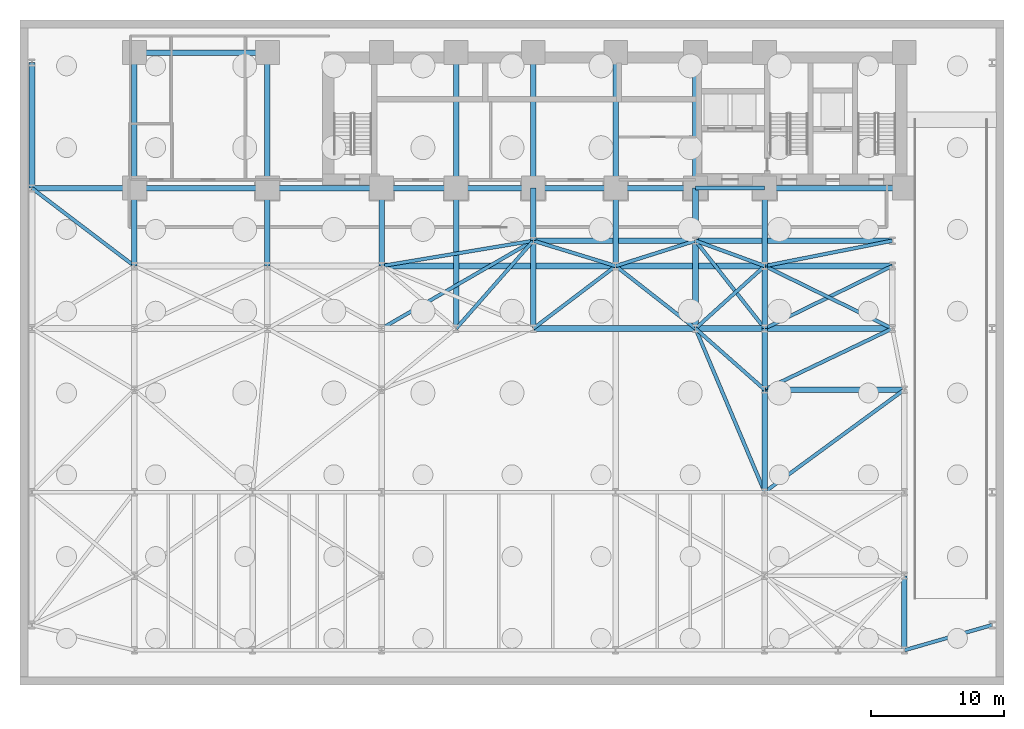
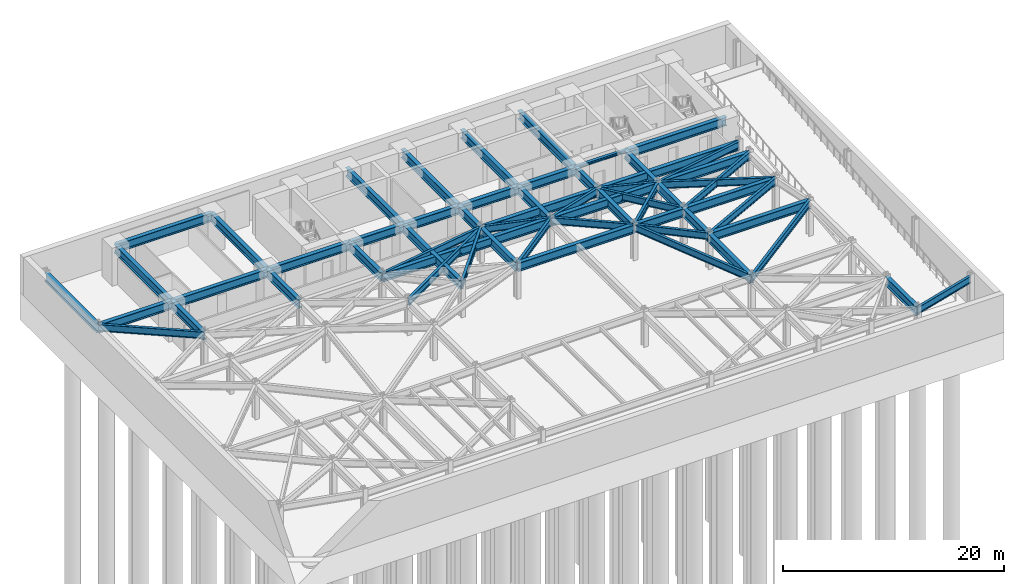
# One storey, part 3 of 12: 59 beams.
"""IFC4 building model written with IfcOpenShell, lengths in metres."""

from ifc_helpers import new_model, si_unit, direction, frame, origin, origin_2d, place, context, subcontext, project, spatial, i_section, extrude, material, material_profile, profile_set, type_object, element, save


model = new_model("IFC4")

# Units and contexts
model_context = context("Model", 3, precision=1e-05, world=origin(), true_north=direction((0.0, 1.0)))
body_context = subcontext(model_context, "Body", "Model", "MODEL_VIEW")
ifc_project = project(units=[si_unit("LENGTHUNIT", "METRE"), si_unit("AREAUNIT", "SQUARE_METRE"), si_unit("VOLUMEUNIT", "CUBIC_METRE"), si_unit("PLANEANGLEUNIT", "RADIAN"), si_unit("MASSUNIT", "GRAM", prefix="KILO")], contexts=[model_context])

# Site, building, storey
site_placement = place(None, origin())
site = spatial("IfcSite", under=ifc_project, at=site_placement, CompositionType="ELEMENT")
building_placement = place(site_placement, origin())
building = spatial("IfcBuilding", under=site, at=building_placement, Name="Kravanh Interchange Tower", CompositionType="ELEMENT")
storey_placement = place(building_placement, frame((0.0, 0.0, -8.39990234375)))
storey = spatial("IfcBuildingStorey", under=building, at=storey_placement, Name="B2", CompositionType="ELEMENT", Elevation=-8.39990234375)

# Beams
ifc_material_1 = material(Name="Structural Steel S450", Category="steel")
ifc_material_profile_1 = material_profile(ifc_material_1, i_section(OverallWidth=0.423095703125, OverallDepth=0.947998046875, WebThickness=0.02392578125, FlangeThickness=0.042724609375, FilletRadius=0.028076171875, at=origin_2d()), Name="W36X302")
ifc_profile_set_1 = profile_set([ifc_material_profile_1], Name="Structural Steel S450")
beam_type_1 = type_object("IfcBeamType", Name="Floor Beam W36X302 Structural Steel S450", PredefinedType="BEAM", material=ifc_profile_set_1)
beam_1_placement = place(storey_placement, frame((66.5, 2.60009765625, 3.42578125), z_axis=(0.0, 1.0, 0.0), x_axis=(-1.0, 0.0, 0.0)))
element("IfcBeam", 1, at=beam_1_placement, inside=storey, type_object=beam_type_1, Name="B2 Primary Floor Girder 20", PredefinedType="BEAM", context=body_context, shape_type="SweptSolid", body=[
    extrude(i_section(OverallWidth=0.423095703125, OverallDepth=0.947998046875, WebThickness=0.02392578125, FlangeThickness=0.042724609375, FilletRadius=0.028076171875, at=origin_2d()), origin(), (0.0, 0.0, 1.0), 5.599853515625),
])
beam_2_placement = place(storey_placement, frame((56.0, 14.5, 3.42578125), z_axis=(0.0, 1.0, 0.0), x_axis=(-1.0, 0.0, 0.0)))
element("IfcBeam", 2, at=beam_2_placement, inside=storey, type_object=beam_type_1, Name="B2 Primary Floor Girder 49", PredefinedType="BEAM", context=body_context, shape_type="SweptSolid", body=[
    extrude(i_section(OverallWidth=0.423095703125, OverallDepth=0.947998046875, WebThickness=0.02392578125, FlangeThickness=0.042724609375, FilletRadius=0.028076171875, at=origin_2d()), origin(), (0.0, 0.0, 1.0), 7.699951171875),
])
beam_3_placement = place(storey_placement, frame((56.0, 22.199951171875, 3.42578125), z_axis=(0.0, 1.0, 0.0), x_axis=(-1.0, 0.0, 0.0)))
element("IfcBeam", 3, at=beam_3_placement, inside=storey, type_object=beam_type_1, Name="B2 Primary Floor Girder 65", PredefinedType="BEAM", context=body_context, shape_type="SweptSolid", body=[
    extrude(i_section(OverallWidth=0.423095703125, OverallDepth=0.947998046875, WebThickness=0.02392578125, FlangeThickness=0.042724609375, FilletRadius=0.028076171875, at=origin_2d()), origin(), (0.0, 0.0, 1.0), 4.60009765625),
])
beam_4_placement = place(storey_placement, frame((56.0, 22.199951171875, 3.42578125), z_axis=(1.0, 0.0, 0.0), x_axis=(0.0, 1.0, 0.0)))
element("IfcBeam", 4, at=beam_4_placement, inside=storey, type_object=beam_type_1, Name="B2 Primary Floor Girder 67", PredefinedType="BEAM", context=body_context, shape_type="SweptSolid", body=[
    extrude(i_section(OverallWidth=0.423095703125, OverallDepth=0.947998046875, WebThickness=0.02392578125, FlangeThickness=0.042724609375, FilletRadius=0.028076171875, at=origin_2d()), origin(), (0.0, 0.0, 1.0), 10.5),
])
beam_5_placement = place(storey_placement, frame((32.800048828125, 26.800048828125, 3.42578125), z_axis=(0.0, 1.0, 0.0), x_axis=(-1.0, 0.0, 0.0)))
element("IfcBeam", 5, at=beam_5_placement, inside=storey, type_object=beam_type_1, Name="B2 Primary Floor Girder 88", PredefinedType="BEAM", context=body_context, shape_type="SweptSolid", body=[
    extrude(i_section(OverallWidth=0.423095703125, OverallDepth=0.947998046875, WebThickness=0.02392578125, FlangeThickness=0.042724609375, FilletRadius=0.028076171875, at=origin_2d()), origin(), (0.0, 0.0, 1.0), 10.550048828125),
])
beam_6_placement = place(storey_placement, frame((38.60009765625, 26.800048828125, 3.42578125), z_axis=(0.0, 1.0, 0.0), x_axis=(-1.0, 0.0, 0.0)))
element("IfcBeam", 6, at=beam_6_placement, inside=storey, type_object=beam_type_1, Name="B2 Primary Floor Girder 89", PredefinedType="BEAM", context=body_context, shape_type="SweptSolid", body=[
    extrude(i_section(OverallWidth=0.423095703125, OverallDepth=0.947998046875, WebThickness=0.02392578125, FlangeThickness=0.042724609375, FilletRadius=0.028076171875, at=origin_2d()), origin(), (0.0, 0.0, 1.0), 6.599853515625),
])
beam_7_placement = place(storey_placement, frame((38.60009765625, 26.800048828125, 3.42578125), z_axis=(1.0, 0.0, 0.0), x_axis=(0.0, 1.0, 0.0)))
element("IfcBeam", 7, at=beam_7_placement, inside=storey, type_object=beam_type_1, Name="B2 Primary Floor Girder 91", PredefinedType="BEAM", context=body_context, shape_type="SweptSolid", body=[
    extrude(i_section(OverallWidth=0.423095703125, OverallDepth=0.947998046875, WebThickness=0.02392578125, FlangeThickness=0.042724609375, FilletRadius=0.028076171875, at=origin_2d()), origin(), (0.0, 0.0, 1.0), 12.199951171875),
])
beam_8_placement = place(storey_placement, frame((50.800048828125, 26.800048828125, 3.42578125), z_axis=(1.0, 0.0, 0.0), x_axis=(0.0, 1.0, 0.0)))
element("IfcBeam", 8, at=beam_8_placement, inside=storey, type_object=beam_type_1, Name="B2 Primary Floor Girder 93", PredefinedType="BEAM", context=body_context, shape_type="SweptSolid", body=[
    extrude(i_section(OverallWidth=0.423095703125, OverallDepth=0.947998046875, WebThickness=0.02392578125, FlangeThickness=0.042724609375, FilletRadius=0.028076171875, at=origin_2d()), origin(), (0.0, 0.0, 1.0), 5.199951171875),
])
beam_9_placement = place(storey_placement, frame((50.800048828125, 26.800048828125, 3.42578125), z_axis=(0.0, 1.0, 0.0), x_axis=(-1.0, 0.0, 0.0)))
element("IfcBeam", 9, at=beam_9_placement, inside=storey, type_object=beam_type_1, Name="B2 Primary Floor Girder 94", PredefinedType="BEAM", context=body_context, shape_type="SweptSolid", body=[
    extrude(i_section(OverallWidth=0.423095703125, OverallDepth=0.947998046875, WebThickness=0.02392578125, FlangeThickness=0.042724609375, FilletRadius=0.028076171875, at=origin_2d()), origin(), (0.0, 0.0, 1.0), 6.599853515625),
])
beam_10_placement = place(storey_placement, frame((56.0, 26.800048828125, 3.42578125), z_axis=(0.0, 1.0, 0.0), x_axis=(-1.0, 0.0, 0.0)))
element("IfcBeam", 10, at=beam_10_placement, inside=storey, type_object=beam_type_1, Name="B2 Primary Floor Girder 97", PredefinedType="BEAM", context=body_context, shape_type="SweptSolid", body=[
    extrude(i_section(OverallWidth=0.423095703125, OverallDepth=0.947998046875, WebThickness=0.02392578125, FlangeThickness=0.042724609375, FilletRadius=0.028076171875, at=origin_2d()), origin(), (0.0, 0.0, 1.0), 4.699951171875),
])
beam_11_placement = place(storey_placement, frame((56.0, 26.800048828125, 3.42578125), z_axis=(1.0, 0.0, 0.0), x_axis=(0.0, 1.0, 0.0)))
element("IfcBeam", 11, at=beam_11_placement, inside=storey, type_object=beam_type_1, Name="B2 Primary Floor Girder 99", PredefinedType="BEAM", context=body_context, shape_type="SweptSolid", body=[
    extrude(i_section(OverallWidth=0.423095703125, OverallDepth=0.947998046875, WebThickness=0.02392578125, FlangeThickness=0.042724609375, FilletRadius=0.028076171875, at=origin_2d()), origin(), (0.0, 0.0, 1.0), 9.60009765625),
])
for number, where, z_axis, x_axis, name in (
    (12, (8.60009765625, 31.5, 3.42578125), (0.0, 1.0, 0.0), (-1.0, 0.0, 0.0), "B2 Primary Floor Girder 104"),
    (13, (18.60009765625, 31.5, 3.42578125), (0.0, 1.0, 0.0), (-1.0, 0.0, 0.0), "B2 Primary Floor Girder 108"),
    (14, (27.199951171875, 31.5, 3.42578125), (0.0, 1.0, 0.0), (-1.0, 0.0, 0.0), "B2 Primary Floor Girder 110"),
):
    element("IfcBeam", number, at=place(storey_placement, frame(where, z_axis=z_axis, x_axis=x_axis)), inside=storey, type_object=beam_type_1, Name=name, PredefinedType="BEAM", context=body_context, shape_type="SweptSolid", body=[
        extrude(i_section(OverallWidth=0.423095703125, OverallDepth=0.947998046875, WebThickness=0.02392578125, FlangeThickness=0.042724609375, FilletRadius=0.028076171875, at=origin_2d()), origin(), (0.0, 0.0, 1.0), 5.85009765625),
    ])
beam_12_placement = place(storey_placement, frame((27.199951171875, 31.5, 3.42578125), z_axis=(1.0, 0.0, 0.0), x_axis=(0.0, 1.0, 0.0)))
element("IfcBeam", 15, at=beam_12_placement, inside=storey, type_object=beam_type_1, Name="B2 Primary Floor Girder 112", PredefinedType="BEAM", context=body_context, shape_type="SweptSolid", body=[
    extrude(i_section(OverallWidth=0.423095703125, OverallDepth=0.947998046875, WebThickness=0.02392578125, FlangeThickness=0.042724609375, FilletRadius=0.028076171875, at=origin_2d()), origin(), (0.0, 0.0, 1.0), 17.60009765625),
])
beam_13_placement = place(storey_placement, frame((44.800048828125, 31.5, 3.42578125), z_axis=(0.0, 1.0, 0.0), x_axis=(-1.0, 0.0, 0.0)))
element("IfcBeam", 16, at=beam_13_placement, inside=storey, type_object=beam_type_1, Name="B2 Primary Floor Girder 113", PredefinedType="BEAM", context=body_context, shape_type="SweptSolid", body=[
    extrude(i_section(OverallWidth=0.423095703125, OverallDepth=0.947998046875, WebThickness=0.02392578125, FlangeThickness=0.042724609375, FilletRadius=0.028076171875, at=origin_2d()), origin(), (0.0, 0.0, 1.0), 5.85009765625),
])
beam_14_placement = place(storey_placement, frame((44.800048828125, 31.5, 3.42578125), z_axis=(1.0, 0.0, 0.0), x_axis=(0.0, 1.0, 0.0)))
element("IfcBeam", 17, at=beam_14_placement, inside=storey, type_object=beam_type_1, Name="B2 Primary Floor Girder 116", PredefinedType="BEAM", context=body_context, shape_type="SweptSolid", body=[
    extrude(i_section(OverallWidth=0.423095703125, OverallDepth=0.947998046875, WebThickness=0.02392578125, FlangeThickness=0.042724609375, FilletRadius=0.028076171875, at=origin_2d()), origin(), (0.0, 0.0, 1.0), 11.199951171875),
])
beam_15_placement = place(storey_placement, frame((56.0, 31.5, 3.42578125), z_axis=(0.0, 1.0, 0.0), x_axis=(-1.0, 0.0, 0.0)))
element("IfcBeam", 18, at=beam_15_placement, inside=storey, type_object=beam_type_1, Name="B2 Primary Floor Girder 118", PredefinedType="BEAM", context=body_context, shape_type="SweptSolid", body=[
    extrude(i_section(OverallWidth=0.423095703125, OverallDepth=0.947998046875, WebThickness=0.02392578125, FlangeThickness=0.042724609375, FilletRadius=0.028076171875, at=origin_2d()), origin(), (0.0, 0.0, 1.0), 5.85009765625),
])
beam_16_placement = place(storey_placement, frame((56.0, 31.5, 3.42578125), z_axis=(1.0, 0.0, 0.0), x_axis=(0.0, 1.0, 0.0)))
element("IfcBeam", 19, at=beam_16_placement, inside=storey, type_object=beam_type_1, Name="B2 Primary Floor Girder 119", PredefinedType="BEAM", context=body_context, shape_type="SweptSolid", body=[
    extrude(i_section(OverallWidth=0.423095703125, OverallDepth=0.947998046875, WebThickness=0.02392578125, FlangeThickness=0.042724609375, FilletRadius=0.028076171875, at=origin_2d()), origin(), (0.0, 0.0, 1.0), 9.60009765625),
])
beam_17_placement = place(storey_placement, frame((0.89990234375, 37.35009765625, 3.42578125), z_axis=(1.0, 0.0, 0.0), x_axis=(0.0, 1.0, 0.0)))
element("IfcBeam", 20, at=beam_17_placement, inside=storey, type_object=beam_type_1, Name="B2 Primary Floor Girder 125", PredefinedType="BEAM", context=body_context, shape_type="SweptSolid", body=[
    extrude(i_section(OverallWidth=0.423095703125, OverallDepth=0.947998046875, WebThickness=0.02392578125, FlangeThickness=0.042724609375, FilletRadius=0.028076171875, at=origin_2d()), origin(), (0.0, 0.0, 1.0), 7.7001953125),
])
beam_18_placement = place(storey_placement, frame((0.89990234375, 37.35009765625, 3.42578125), z_axis=(0.0, 1.0, 0.0), x_axis=(-1.0, 0.0, 0.0)))
element("IfcBeam", 21, at=beam_18_placement, inside=storey, type_object=beam_type_1, Name="B2 Primary Floor Girder 126", PredefinedType="BEAM", context=body_context, shape_type="SweptSolid", body=[
    extrude(i_section(OverallWidth=0.423095703125, OverallDepth=0.947998046875, WebThickness=0.02392578125, FlangeThickness=0.042724609375, FilletRadius=0.028076171875, at=origin_2d()), origin(), (0.0, 0.0, 1.0), 9.449951171875),
])
beam_19_placement = place(storey_placement, frame((38.60009765625, 33.39990234375, 3.42578125), z_axis=(0.0, 1.0, 0.0), x_axis=(-1.0, 0.0, 0.0)))
element("IfcBeam", 22, at=beam_19_placement, inside=storey, type_object=beam_type_1, Name="B2 Primary Floor Girder 130", PredefinedType="BEAM", context=body_context, shape_type="SweptSolid", body=[
    extrude(i_section(OverallWidth=0.423095703125, OverallDepth=0.947998046875, WebThickness=0.02392578125, FlangeThickness=0.042724609375, FilletRadius=0.028076171875, at=origin_2d()), origin(), (0.0, 0.0, 1.0), 3.9501953125),
])
beam_20_placement = place(storey_placement, frame((38.60009765625, 33.39990234375, 3.42578125), z_axis=(1.0, 0.0, 0.0), x_axis=(0.0, 1.0, 0.0)))
element("IfcBeam", 23, at=beam_20_placement, inside=storey, type_object=beam_type_1, Name="B2 Primary Floor Girder 131", PredefinedType="BEAM", context=body_context, shape_type="SweptSolid", body=[
    extrude(i_section(OverallWidth=0.423095703125, OverallDepth=0.947998046875, WebThickness=0.02392578125, FlangeThickness=0.042724609375, FilletRadius=0.028076171875, at=origin_2d()), origin(), (0.0, 0.0, 1.0), 12.199951171875),
])
beam_21_placement = place(storey_placement, frame((50.800048828125, 33.39990234375, 3.42578125), z_axis=(0.0, 1.0, 0.0), x_axis=(-1.0, 0.0, 0.0)))
element("IfcBeam", 24, at=beam_21_placement, inside=storey, type_object=beam_type_1, Name="B2 Primary Floor Girder 132", PredefinedType="BEAM", context=body_context, shape_type="SweptSolid", body=[
    extrude(i_section(OverallWidth=0.423095703125, OverallDepth=0.947998046875, WebThickness=0.02392578125, FlangeThickness=0.042724609375, FilletRadius=0.028076171875, at=origin_2d()), origin(), (0.0, 0.0, 1.0), 3.9501953125),
])
beam_22_placement = place(storey_placement, frame((50.800048828125, 33.39990234375, 3.42578125), z_axis=(1.0, 0.0, 0.0), x_axis=(0.0, 1.0, 0.0)))
element("IfcBeam", 25, at=beam_22_placement, inside=storey, type_object=beam_type_1, Name="B2 Primary Floor Girder 133", PredefinedType="BEAM", context=body_context, shape_type="SweptSolid", body=[
    extrude(i_section(OverallWidth=0.423095703125, OverallDepth=0.947998046875, WebThickness=0.02392578125, FlangeThickness=0.042724609375, FilletRadius=0.028076171875, at=origin_2d()), origin(), (0.0, 0.0, 1.0), 14.800048828125),
])
beam_23_placement = place(storey_placement, frame((66.5, 37.35009765625, 3.42578125), z_axis=(-1.0, 0.0, 0.0), x_axis=(0.0, -1.0, 0.0)))
element("IfcBeam", 26, at=beam_23_placement, inside=storey, type_object=beam_type_1, Name="B2 Primary Floor Girder 138", PredefinedType="BEAM", context=body_context, shape_type="SweptSolid", body=[
    extrude(i_section(OverallWidth=0.423095703125, OverallDepth=0.947998046875, WebThickness=0.02392578125, FlangeThickness=0.042724609375, FilletRadius=0.028076171875, at=origin_2d()), origin(), (0.0, 0.0, 1.0), 10.5),
])
beam_24_placement = place(storey_placement, frame((50.800048828125, 47.550048828125, 3.42578125), z_axis=(0.0, -1.0, 0.0), x_axis=(1.0, 0.0, 0.0)))
element("IfcBeam", 27, at=beam_24_placement, inside=storey, type_object=beam_type_1, Name="B2 Primary Floor Girder 141", PredefinedType="BEAM", context=body_context, shape_type="SweptSolid", body=[
    extrude(i_section(OverallWidth=0.423095703125, OverallDepth=0.947998046875, WebThickness=0.02392578125, FlangeThickness=0.042724609375, FilletRadius=0.028076171875, at=origin_2d()), origin(), (0.0, 0.0, 1.0), 10.199951171875),
])
beam_25_placement = place(storey_placement, frame((50.800048828125, 37.35009765625, 3.42578125), z_axis=(-1.0, 0.0, 0.0), x_axis=(0.0, -1.0, 0.0)))
element("IfcBeam", 28, at=beam_25_placement, inside=storey, type_object=beam_type_1, Name="B2 Primary Floor Girder 142", PredefinedType="BEAM", context=body_context, shape_type="SweptSolid", body=[
    extrude(i_section(OverallWidth=0.423095703125, OverallDepth=0.947998046875, WebThickness=0.02392578125, FlangeThickness=0.042724609375, FilletRadius=0.028076171875, at=origin_2d()), origin(), (0.0, 0.0, 1.0), 6.0),
])
beam_26_placement = place(storey_placement, frame((44.800048828125, 37.35009765625, 3.42578125), z_axis=(-1.0, 0.0, 0.0), x_axis=(0.0, -1.0, 0.0)))
element("IfcBeam", 29, at=beam_26_placement, inside=storey, type_object=beam_type_1, Name="B2 Primary Floor Girder 143", PredefinedType="BEAM", context=body_context, shape_type="SweptSolid", body=[
    extrude(i_section(OverallWidth=0.423095703125, OverallDepth=0.947998046875, WebThickness=0.02392578125, FlangeThickness=0.042724609375, FilletRadius=0.028076171875, at=origin_2d()), origin(), (0.0, 0.0, 1.0), 6.199951171875),
])
beam_27_placement = place(storey_placement, frame((44.800048828125, 37.35009765625, 3.42578125), z_axis=(0.0, 1.0, 0.0), x_axis=(-1.0, 0.0, 0.0)))
element("IfcBeam", 30, at=beam_27_placement, inside=storey, type_object=beam_type_1, Name="B2 Primary Floor Girder 144", PredefinedType="BEAM", context=body_context, shape_type="SweptSolid", body=[
    extrude(i_section(OverallWidth=0.423095703125, OverallDepth=0.947998046875, WebThickness=0.02392578125, FlangeThickness=0.042724609375, FilletRadius=0.028076171875, at=origin_2d()), origin(), (0.0, 0.0, 1.0), 10.199951171875),
])
beam_28_placement = place(storey_placement, frame((38.60009765625, 37.35009765625, 3.42578125), z_axis=(-1.0, 0.0, 0.0), x_axis=(0.0, -1.0, 0.0)))
element("IfcBeam", 31, at=beam_28_placement, inside=storey, type_object=beam_type_1, Name="B2 Primary Floor Girder 146", PredefinedType="BEAM", context=body_context, shape_type="SweptSolid", body=[
    extrude(i_section(OverallWidth=0.423095703125, OverallDepth=0.947998046875, WebThickness=0.02392578125, FlangeThickness=0.042724609375, FilletRadius=0.028076171875, at=origin_2d()), origin(), (0.0, 0.0, 1.0), 5.800048828125),
])
beam_29_placement = place(storey_placement, frame((38.60009765625, 37.35009765625, 3.42578125), z_axis=(0.0, 1.0, 0.0), x_axis=(-1.0, 0.0, 0.0)))
element("IfcBeam", 32, at=beam_29_placement, inside=storey, type_object=beam_type_1, Name="B2 Primary Floor Girder 147", PredefinedType="BEAM", context=body_context, shape_type="SweptSolid", body=[
    extrude(i_section(OverallWidth=0.423095703125, OverallDepth=0.947998046875, WebThickness=0.02392578125, FlangeThickness=0.042724609375, FilletRadius=0.028076171875, at=origin_2d()), origin(), (0.0, 0.0, 1.0), 10.199951171875),
])
beam_30_placement = place(storey_placement, frame((32.800048828125, 37.35009765625, 3.42578125), z_axis=(-1.0, 0.0, 0.0), x_axis=(0.0, -1.0, 0.0)))
element("IfcBeam", 33, at=beam_30_placement, inside=storey, type_object=beam_type_1, Name="B2 Primary Floor Girder 149", PredefinedType="BEAM", context=body_context, shape_type="SweptSolid", body=[
    extrude(i_section(OverallWidth=0.423095703125, OverallDepth=0.947998046875, WebThickness=0.02392578125, FlangeThickness=0.042724609375, FilletRadius=0.028076171875, at=origin_2d()), origin(), (0.0, 0.0, 1.0), 5.60009765625),
])
beam_31_placement = place(storey_placement, frame((32.800048828125, 37.35009765625, 3.42578125), z_axis=(0.0, 1.0, 0.0), x_axis=(-1.0, 0.0, 0.0)))
element("IfcBeam", 34, at=beam_31_placement, inside=storey, type_object=beam_type_1, Name="B2 Primary Floor Girder 150", PredefinedType="BEAM", context=body_context, shape_type="SweptSolid", body=[
    extrude(i_section(OverallWidth=0.423095703125, OverallDepth=0.947998046875, WebThickness=0.02392578125, FlangeThickness=0.042724609375, FilletRadius=0.028076171875, at=origin_2d()), origin(), (0.0, 0.0, 1.0), 10.199951171875),
])
beam_32_placement = place(storey_placement, frame((27.199951171875, 37.35009765625, 3.42578125), z_axis=(-1.0, 0.0, 0.0), x_axis=(0.0, -1.0, 0.0)))
element("IfcBeam", 35, at=beam_32_placement, inside=storey, type_object=beam_type_1, Name="B2 Primary Floor Girder 152", PredefinedType="BEAM", context=body_context, shape_type="SweptSolid", body=[
    extrude(i_section(OverallWidth=0.423095703125, OverallDepth=0.947998046875, WebThickness=0.02392578125, FlangeThickness=0.042724609375, FilletRadius=0.028076171875, at=origin_2d()), origin(), (0.0, 0.0, 1.0), 8.599853515625),
])
beam_33_placement = place(storey_placement, frame((18.60009765625, 37.35009765625, 3.42578125), z_axis=(-1.0, 0.0, 0.0), x_axis=(0.0, -1.0, 0.0)))
element("IfcBeam", 36, at=beam_33_placement, inside=storey, type_object=beam_type_1, Name="B2 Primary Floor Girder 155", PredefinedType="BEAM", context=body_context, shape_type="SweptSolid", body=[
    extrude(i_section(OverallWidth=0.423095703125, OverallDepth=0.947998046875, WebThickness=0.02392578125, FlangeThickness=0.042724609375, FilletRadius=0.028076171875, at=origin_2d()), origin(), (0.0, 0.0, 1.0), 10.0),
])
beam_34_placement = place(storey_placement, frame((18.60009765625, 37.35009765625, 3.42578125), z_axis=(0.0, 1.0, 0.0), x_axis=(-1.0, 0.0, 0.0)))
element("IfcBeam", 37, at=beam_34_placement, inside=storey, type_object=beam_type_1, Name="B2 Primary Floor Girder 156", PredefinedType="BEAM", context=body_context, shape_type="SweptSolid", body=[
    extrude(i_section(OverallWidth=0.423095703125, OverallDepth=0.947998046875, WebThickness=0.02392578125, FlangeThickness=0.042724609375, FilletRadius=0.028076171875, at=origin_2d()), origin(), (0.0, 0.0, 1.0), 10.199951171875),
])
beam_35_placement = place(storey_placement, frame((18.60009765625, 47.550048828125, 3.42578125), z_axis=(-1.0, 0.0, 0.0), x_axis=(0.0, -1.0, 0.0)))
element("IfcBeam", 38, at=beam_35_placement, inside=storey, type_object=beam_type_1, Name="B2 Primary Floor Girder 157", PredefinedType="BEAM", context=body_context, shape_type="SweptSolid", body=[
    extrude(i_section(OverallWidth=0.423095703125, OverallDepth=0.947998046875, WebThickness=0.02392578125, FlangeThickness=0.042724609375, FilletRadius=0.028076171875, at=origin_2d()), origin(), (0.0, 0.0, 1.0), 10.0),
])
beam_36_placement = place(storey_placement, frame((8.60009765625, 37.35009765625, 3.42578125), z_axis=(0.0, 1.0, 0.0), x_axis=(-1.0, 0.0, 0.0)))
element("IfcBeam", 39, at=beam_36_placement, inside=storey, type_object=beam_type_1, Name="B2 Primary Floor Girder 158", PredefinedType="BEAM", context=body_context, shape_type="SweptSolid", body=[
    extrude(i_section(OverallWidth=0.423095703125, OverallDepth=0.947998046875, WebThickness=0.02392578125, FlangeThickness=0.042724609375, FilletRadius=0.028076171875, at=origin_2d()), origin(), (0.0, 0.0, 1.0), 10.199951171875),
])
ifc_material_2 = material(Name="Structural Steel S355", Category="steel")
ifc_material_profile_2 = material_profile(ifc_material_2, i_section(OverallWidth=0.304931640625, OverallDepth=0.306884765625, WebThickness=0.010009765625, FlangeThickness=0.015380859375, FilletRadius=0.014892578125, at=origin_2d()), Name="W12X65")
ifc_profile_set_2 = profile_set([ifc_material_profile_2], Name="Structural Steel S355")
beam_type_2 = type_object("IfcBeamType", Name="Floor Lintel W12X65 Structural Steel S355", PredefinedType="LINTEL", material=ifc_profile_set_2)
beam_37_placement = place(storey_placement, frame((50.800048828125, 37.35009765625, 3.746337890625), z_axis=(1.0, 0.0, 0.0), x_axis=(0.0, 1.0, 0.0)))
element("IfcBeam", 40, at=beam_37_placement, inside=storey, type_object=beam_type_2, Name="B2 Core Coupling Lintel 1", PredefinedType="LINTEL", context=body_context, shape_type="SweptSolid", body=[
    extrude(i_section(OverallWidth=0.304931640625, OverallDepth=0.306884765625, WebThickness=0.010009765625, FlangeThickness=0.015380859375, FilletRadius=0.014892578125, at=origin_2d()), origin(), (0.0, 0.0, 1.0), 5.199951171875),
])
ifc_material_3 = material(Name="Structural Steel S355", Category="steel")
ifc_material_profile_3 = material_profile(ifc_material_3, i_section(OverallWidth=0.26708984375, OverallDepth=0.761962890625, WebThickness=0.014404296875, FlangeThickness=0.021484375, FilletRadius=0.02490234375, at=origin_2d()), Name="W30X116")
ifc_profile_set_3 = profile_set([ifc_material_profile_3], Name="Structural Steel S355")
beam_type_3 = type_object("IfcBeamType", Name="Floor Spandrel W30X116 Structural Steel S355", PredefinedType="SPANDREL", material=ifc_profile_set_3)
beam_38_placement = place(storey_placement, frame((66.5, 2.60009765625, 3.518798828125), z_axis=(0.960977451506, 0.27662671183, 0.0), x_axis=(-0.27662671183, 0.960977451506, 0.0)))
element("IfcBeam", 41, at=beam_38_placement, inside=storey, type_object=beam_type_3, Name="B2 Perimeter Spandrel 21", PredefinedType="SPANDREL", context=body_context, shape_type="SweptSolid", body=[
    extrude(i_section(OverallWidth=0.26708984375, OverallDepth=0.761962890625, WebThickness=0.014404296875, FlangeThickness=0.021484375, FilletRadius=0.02490234375, at=origin_2d()), origin(), (0.0, 0.0, 1.0), 6.8681640625),
])
beam_39_placement = place(storey_placement, frame((56.0, 14.5, 3.518798828125), z_axis=(0.806406784162, 0.59136122502, 0.0), x_axis=(-0.59136122502, 0.806406784162, 0.0)))
element("IfcBeam", 42, at=beam_39_placement, inside=storey, type_object=beam_type_3, Name="B2 Perimeter Spandrel 51", PredefinedType="SPANDREL", context=body_context, shape_type="SweptSolid", body=[
    extrude(i_section(OverallWidth=0.26708984375, OverallDepth=0.761962890625, WebThickness=0.014404296875, FlangeThickness=0.021484375, FilletRadius=0.02490234375, at=origin_2d()), origin(), (0.0, 0.0, 1.0), 13.020751953125),
])
beam_40_placement = place(storey_placement, frame((56.0, 14.5, 3.518798828125), z_axis=(-0.389391275313, 0.921072437276, 0.0), x_axis=(-0.921072437276, -0.389391275313, 0.0)))
element("IfcBeam", 43, at=beam_40_placement, inside=storey, type_object=beam_type_3, Name="B2 Perimeter Spandrel 52", PredefinedType="SPANDREL", context=body_context, shape_type="SweptSolid", body=[
    extrude(i_section(OverallWidth=0.26708984375, OverallDepth=0.761962890625, WebThickness=0.014404296875, FlangeThickness=0.021484375, FilletRadius=0.02490234375, at=origin_2d()), origin(), (0.0, 0.0, 1.0), 13.35400390625),
])
beam_41_placement = place(storey_placement, frame((56.0, 22.199951171875, 3.518798828125), z_axis=(-0.74898649432, 0.662585263439, 0.0), x_axis=(-0.662585263439, -0.74898649432, 0.0)))
element("IfcBeam", 44, at=beam_41_placement, inside=storey, type_object=beam_type_3, Name="B2 Perimeter Spandrel 66", PredefinedType="SPANDREL", context=body_context, shape_type="SweptSolid", body=[
    extrude(i_section(OverallWidth=0.26708984375, OverallDepth=0.761962890625, WebThickness=0.014404296875, FlangeThickness=0.021484375, FilletRadius=0.02490234375, at=origin_2d()), origin(), (0.0, 0.0, 1.0), 6.942626953125),
])
beam_42_placement = place(storey_placement, frame((56.0, 22.199951171875, 3.518798828125), z_axis=(0.901814166789, 0.432124066188, 0.0), x_axis=(-0.432124066188, 0.901814166789, 0.0)))
element("IfcBeam", 45, at=beam_42_placement, inside=storey, type_object=beam_type_3, Name="B2 Perimeter Spandrel 68", PredefinedType="SPANDREL", context=body_context, shape_type="SweptSolid", body=[
    extrude(i_section(OverallWidth=0.26708984375, OverallDepth=0.761962890625, WebThickness=0.014404296875, FlangeThickness=0.021484375, FilletRadius=0.02490234375, at=origin_2d()), origin(), (0.0, 0.0, 1.0), 10.645263671875),
])
beam_43_placement = place(storey_placement, frame((27.199951171875, 26.800048828125, 3.518798828125), z_axis=(0.865433898834, 0.501023119974, 0.0), x_axis=(-0.501023119974, 0.865433898834, 0.0)))
element("IfcBeam", 46, at=beam_43_placement, inside=storey, type_object=beam_type_3, Name="B2 Perimeter Spandrel 84", PredefinedType="SPANDREL", context=body_context, shape_type="SweptSolid", body=[
    extrude(i_section(OverallWidth=0.26708984375, OverallDepth=0.761962890625, WebThickness=0.014404296875, FlangeThickness=0.021484375, FilletRadius=0.02490234375, at=origin_2d()), origin(), (0.0, 0.0, 1.0), 13.1728515625),
])
beam_44_placement = place(storey_placement, frame((32.800048828125, 26.800048828125, 3.518798828125), z_axis=(0.660126010232, 0.751154877914, 0.0), x_axis=(-0.751154877914, 0.660126010232, 0.0)))
element("IfcBeam", 47, at=beam_44_placement, inside=storey, type_object=beam_type_3, Name="B2 Perimeter Spandrel 87", PredefinedType="SPANDREL", context=body_context, shape_type="SweptSolid", body=[
    extrude(i_section(OverallWidth=0.26708984375, OverallDepth=0.761962890625, WebThickness=0.014404296875, FlangeThickness=0.021484375, FilletRadius=0.02490234375, at=origin_2d()), origin(), (0.0, 0.0, 1.0), 8.786376953125),
])
beam_45_placement = place(storey_placement, frame((38.60009765625, 26.800048828125, 3.518798828125), z_axis=(0.796905365509, 0.604104161898, 0.0), x_axis=(-0.604104161898, 0.796905365509, 0.0)))
element("IfcBeam", 48, at=beam_45_placement, inside=storey, type_object=beam_type_3, Name="B2 Perimeter Spandrel 90", PredefinedType="SPANDREL", context=body_context, shape_type="SweptSolid", body=[
    extrude(i_section(OverallWidth=0.26708984375, OverallDepth=0.761962890625, WebThickness=0.014404296875, FlangeThickness=0.021484375, FilletRadius=0.02490234375, at=origin_2d()), origin(), (0.0, 0.0, 1.0), 7.780029296875),
])
beam_46_placement = place(storey_placement, frame((50.800048828125, 26.800048828125, 3.518798828125), z_axis=(0.741874009795, 0.670539300557, 0.0), x_axis=(-0.670539300557, 0.741874009795, 0.0)))
element("IfcBeam", 49, at=beam_46_placement, inside=storey, type_object=beam_type_3, Name="B2 Perimeter Spandrel 95", PredefinedType="SPANDREL", context=body_context, shape_type="SweptSolid", body=[
    extrude(i_section(OverallWidth=0.26708984375, OverallDepth=0.761962890625, WebThickness=0.014404296875, FlangeThickness=0.021484375, FilletRadius=0.02490234375, at=origin_2d()), origin(), (0.0, 0.0, 1.0), 7.00927734375),
])
beam_47_placement = place(storey_placement, frame((50.800048828125, 26.800048828125, 3.518798828125), z_axis=(-0.787231163579, 0.616658004967, 0.0), x_axis=(-0.616658004967, -0.787231163579, 0.0)))
element("IfcBeam", 50, at=beam_47_placement, inside=storey, type_object=beam_type_3, Name="B2 Perimeter Spandrel 96", PredefinedType="SPANDREL", context=body_context, shape_type="SweptSolid", body=[
    extrude(i_section(OverallWidth=0.26708984375, OverallDepth=0.761962890625, WebThickness=0.014404296875, FlangeThickness=0.021484375, FilletRadius=0.02490234375, at=origin_2d()), origin(), (0.0, 0.0, 1.0), 7.62158203125),
])
beam_48_placement = place(storey_placement, frame((56.0, 26.800048828125, 3.518798828125), z_axis=(-0.618877116007, 0.785487819946, 0.0), x_axis=(-0.785487819946, -0.618877116007, 0.0)))
element("IfcBeam", 51, at=beam_48_placement, inside=storey, type_object=beam_type_3, Name="B2 Perimeter Spandrel 98", PredefinedType="SPANDREL", context=body_context, shape_type="SweptSolid", body=[
    extrude(i_section(OverallWidth=0.26708984375, OverallDepth=0.761962890625, WebThickness=0.014404296875, FlangeThickness=0.021484375, FilletRadius=0.02490234375, at=origin_2d()), origin(), (0.0, 0.0, 1.0), 8.40234375),
])
for number, where, z_axis, x_axis, name in (
    (52, (56.0, 26.800048828125, 3.518798828125), (0.898141688387, 0.439706160499, 0.0), (-0.439706160499, 0.898141688387, 0.0), "B2 Perimeter Spandrel 100"),
    (53, (65.60009765625, 26.800048828125, 3.518798828125), (-0.898141688387, 0.439706160499, 0.0), (-0.439706160499, -0.898141688387, 0.0), "B2 Perimeter Spandrel 103"),
):
    element("IfcBeam", number, at=place(storey_placement, frame(where, z_axis=z_axis, x_axis=x_axis)), inside=storey, type_object=beam_type_3, Name=name, PredefinedType="SPANDREL", context=body_context, shape_type="SweptSolid", body=[
        extrude(i_section(OverallWidth=0.26708984375, OverallDepth=0.761962890625, WebThickness=0.014404296875, FlangeThickness=0.021484375, FilletRadius=0.02490234375, at=origin_2d()), origin(), (0.0, 0.0, 1.0), 10.68896484375),
    ])
beam_49_placement = place(storey_placement, frame((8.60009765625, 31.5, 3.518798828125), z_axis=(-0.796264345287, 0.604948834552, 0.0), x_axis=(-0.604948834552, -0.796264345287, 0.0)))
element("IfcBeam", 54, at=beam_49_placement, inside=storey, type_object=beam_type_3, Name="B2 Perimeter Spandrel 106", PredefinedType="SPANDREL", context=body_context, shape_type="SweptSolid", body=[
    extrude(i_section(OverallWidth=0.26708984375, OverallDepth=0.761962890625, WebThickness=0.014404296875, FlangeThickness=0.021484375, FilletRadius=0.02490234375, at=origin_2d()), origin(), (0.0, 0.0, 1.0), 9.67041015625),
])
beam_50_placement = place(storey_placement, frame((27.199951171875, 31.5, 3.518798828125), z_axis=(0.986395636554, 0.164388710647, 0.0), x_axis=(-0.164388710647, 0.986395636554, 0.0)))
element("IfcBeam", 55, at=beam_50_placement, inside=storey, type_object=beam_type_3, Name="B2 Perimeter Spandrel 111", PredefinedType="SPANDREL", context=body_context, shape_type="SweptSolid", body=[
    extrude(i_section(OverallWidth=0.26708984375, OverallDepth=0.761962890625, WebThickness=0.014404296875, FlangeThickness=0.021484375, FilletRadius=0.02490234375, at=origin_2d()), origin(), (0.0, 0.0, 1.0), 11.557373046875),
])
beam_51_placement = place(storey_placement, frame((44.800048828125, 31.5, 3.518798828125), z_axis=(0.953346691051, 0.301877602122, 0.0), x_axis=(-0.301877602122, 0.953346691051, 0.0)))
element("IfcBeam", 56, at=beam_51_placement, inside=storey, type_object=beam_type_3, Name="B2 Perimeter Spandrel 114", PredefinedType="SPANDREL", context=body_context, shape_type="SweptSolid", body=[
    extrude(i_section(OverallWidth=0.26708984375, OverallDepth=0.761962890625, WebThickness=0.014404296875, FlangeThickness=0.021484375, FilletRadius=0.02490234375, at=origin_2d()), origin(), (0.0, 0.0, 1.0), 6.293701171875),
])
beam_52_placement = place(storey_placement, frame((44.800048828125, 31.5, 3.518798828125), z_axis=(-0.956115397264, 0.292990353279, 0.0), x_axis=(-0.292990353279, -0.956115397264, 0.0)))
element("IfcBeam", 57, at=beam_52_placement, inside=storey, type_object=beam_type_3, Name="B2 Perimeter Spandrel 115", PredefinedType="SPANDREL", context=body_context, shape_type="SweptSolid", body=[
    extrude(i_section(OverallWidth=0.26708984375, OverallDepth=0.761962890625, WebThickness=0.014404296875, FlangeThickness=0.021484375, FilletRadius=0.02490234375, at=origin_2d()), origin(), (0.0, 0.0, 1.0), 6.484619140625),
])
beam_53_placement = place(storey_placement, frame((56.0, 31.5, 3.518798828125), z_axis=(-0.93926957103, 0.343180233896, 0.0), x_axis=(-0.343180233896, -0.93926957103, 0.0)))
element("IfcBeam", 58, at=beam_53_placement, inside=storey, type_object=beam_type_3, Name="B2 Perimeter Spandrel 117", PredefinedType="SPANDREL", context=body_context, shape_type="SweptSolid", body=[
    extrude(i_section(OverallWidth=0.26708984375, OverallDepth=0.761962890625, WebThickness=0.014404296875, FlangeThickness=0.021484375, FilletRadius=0.02490234375, at=origin_2d()), origin(), (0.0, 0.0, 1.0), 5.5361328125),
])
beam_54_placement = place(storey_placement, frame((56.0, 31.5, 3.518798828125), z_axis=(0.980974000807, 0.194139150457, 0.0), x_axis=(-0.194139150457, 0.980974000807, 0.0)))
element("IfcBeam", 59, at=beam_54_placement, inside=storey, type_object=beam_type_3, Name="B2 Perimeter Spandrel 120", PredefinedType="SPANDREL", context=body_context, shape_type="SweptSolid", body=[
    extrude(i_section(OverallWidth=0.26708984375, OverallDepth=0.761962890625, WebThickness=0.014404296875, FlangeThickness=0.021484375, FilletRadius=0.02490234375, at=origin_2d()), origin(), (0.0, 0.0, 1.0), 9.786376953125),
])

save(model, "model.ifc")
